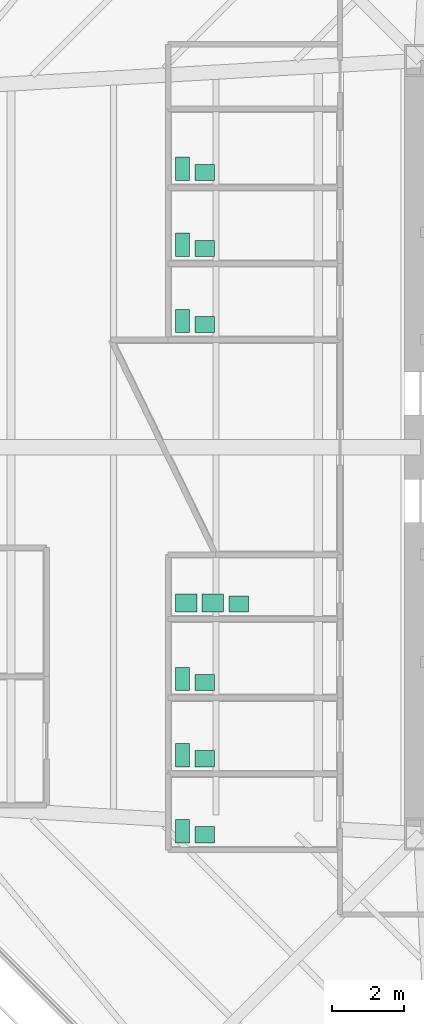
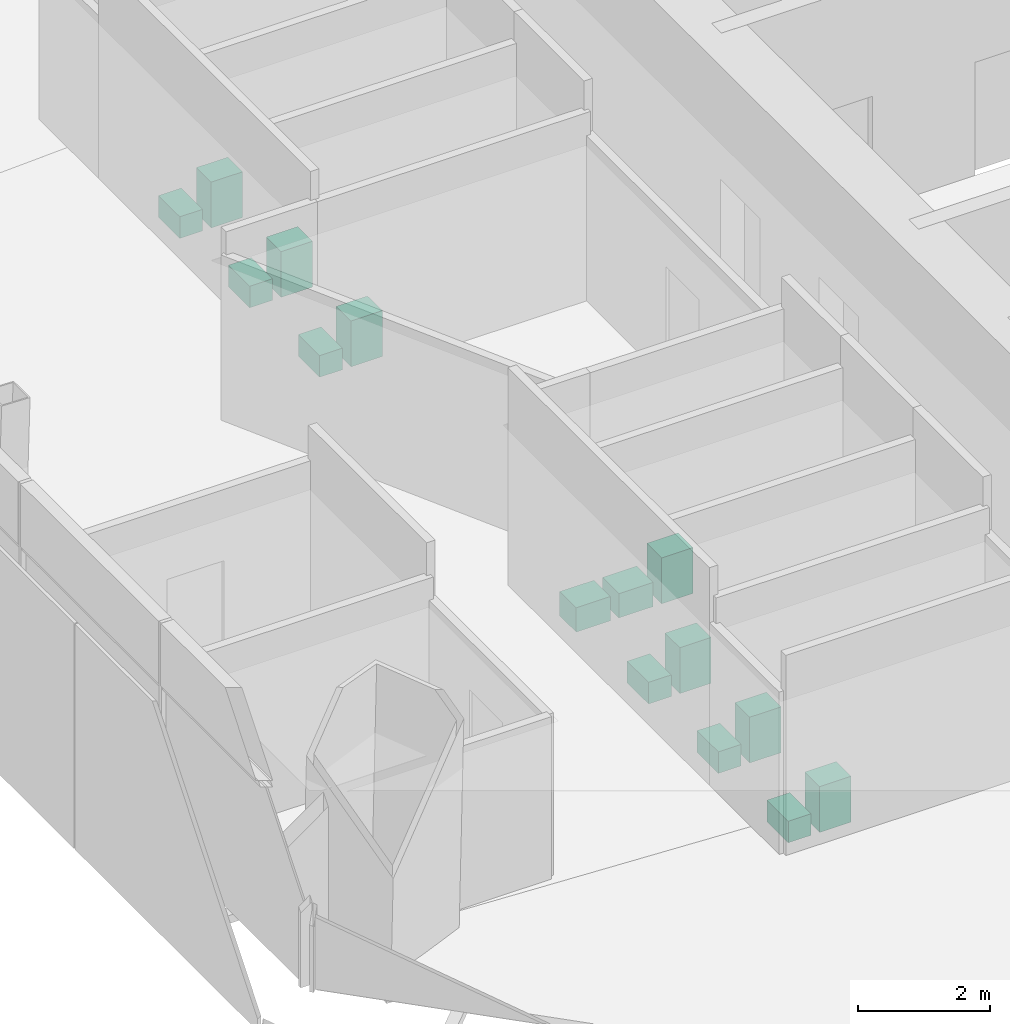
# One storey, part 15 of 15: 15 sanitary terminals.
"""IFC4 building model written with IfcOpenShell, lengths in metres."""

from ifc_helpers import new_model, si_unit, direction, frame, origin, origin_2d, place, context, subcontext, project, spatial, rectangle, extrude, material, type_object, element, save


model = new_model("IFC4")

# Units and contexts
model_context = context("Model", 3, precision=1e-05, world=origin(), true_north=direction((0.0, 1.0)))
body_context = subcontext(model_context, "Body", "Model", "MODEL_VIEW")
ifc_project = project(units=[si_unit("LENGTHUNIT", "METRE"), si_unit("AREAUNIT", "SQUARE_METRE"), si_unit("VOLUMEUNIT", "CUBIC_METRE"), si_unit("PLANEANGLEUNIT", "RADIAN"), si_unit("MASSUNIT", "GRAM", prefix="KILO")], contexts=[model_context])

# Site, building, storey
site_placement = place(None, origin())
site = spatial("IfcSite", under=ifc_project, at=site_placement, CompositionType="ELEMENT")
building_placement = place(site_placement, origin())
building = spatial("IfcBuilding", under=site, at=building_placement, Name="Mashrafa Tower", CompositionType="ELEMENT")
storey_placement = place(building_placement, frame((0.0, 0.0, 75.0)))
storey = spatial("IfcBuildingStorey", under=building, at=storey_placement, Name="L16", CompositionType="ELEMENT", Elevation=75.0)

# Sanitary terminals
ifc_material_1 = material(Name="Stainless steel", Category="steel")
sanitary_terminal_type_1 = type_object("IfcSanitaryTerminalType", Name="Ablution wash station 600 x 500", PredefinedType="WASHHANDBASIN", material=ifc_material_1)
for number, where, z_axis, x_axis, name in (
    (1, (-17.35009765625, -4.35009765625, 0.0), (0.0, 0.0, 1.0), (1.0, 0.0, 0.0), "Ablution wash station Ablution Room L16 S"),
    (2, (-16.60009765625, -4.35009765625, 0.0), (0.0, 0.0, 1.0), (1.0, 0.0, 0.0), "Ablution wash station Ablution Room L16 S"),
):
    element("IfcSanitaryTerminal", number, at=place(storey_placement, frame(where, z_axis=z_axis, x_axis=x_axis)), inside=storey, type_object=sanitary_terminal_type_1, Name=name, PredefinedType="WASHHANDBASIN", context=body_context, shape_type="SweptSolid", body=[
        extrude(rectangle(XDim=0.60009765625, YDim=0.5, at=origin_2d()), origin(), (0.0, 0.0, 1.0), 0.449951171875),
    ])
ifc_material_2 = material(Name="Vitreous china")
sanitary_terminal_type_2 = type_object("IfcSanitaryTerminalType", Name="Toilet pan 400 x 650", PredefinedType="TOILETPAN", material=ifc_material_2)
for number, where, z_axis, x_axis, name in (
    (3, (-17.449951171875, 3.52490234375, 0.0), (0.0, 0.0, 1.0), (1.0, 0.0, 0.0), "Toilet pan WC Female L16 N"),
    (4, (-17.449951171875, 5.64990234375, 0.0), (0.0, 0.0, 1.0), (1.0, 0.0, 0.0), "Toilet pan WC Male L16 N"),
    (5, (-17.449951171875, 7.77490234375, 0.0), (0.0, 0.0, 1.0), (1.0, 0.0, 0.0), "Toilet pan Accessible WC L16 N"),
    (6, (-17.449951171875, -10.72509765625, 0.0), (0.0, 0.0, 1.0), (1.0, 0.0, 0.0), "Toilet pan WC Female L16 S"),
    (7, (-17.449951171875, -8.60009765625, 0.0), (0.0, 0.0, 1.0), (1.0, 0.0, 0.0), "Toilet pan WC Male L16 S"),
    (8, (-17.449951171875, -6.47509765625, 0.0), (0.0, 0.0, 1.0), (1.0, 0.0, 0.0), "Toilet pan Accessible WC L16 S"),
):
    element("IfcSanitaryTerminal", number, at=place(storey_placement, frame(where, z_axis=z_axis, x_axis=x_axis)), inside=storey, type_object=sanitary_terminal_type_2, Name=name, PredefinedType="TOILETPAN", context=body_context, shape_type="SweptSolid", body=[
        extrude(rectangle(XDim=0.39990234375, YDim=0.64990234375, at=origin_2d()), origin(), (0.0, 0.0, 1.0), 0.39990234375),
    ])
ifc_material_3 = material(Name="Vitreous china")
sanitary_terminal_type_3 = type_object("IfcSanitaryTerminalType", Name="Wash basin 550 x 450", PredefinedType="WASHHANDBASIN", material=ifc_material_3)
for number, where, z_axis, x_axis, name in (
    (9, (-16.824951171875, 3.425048828125, 0.0), (0.0, 0.0, 1.0), (1.0, 0.0, 0.0), "Wash basin WC Female L16 N"),
    (10, (-16.824951171875, 5.550048828125, 0.0), (0.0, 0.0, 1.0), (1.0, 0.0, 0.0), "Wash basin WC Male L16 N"),
    (11, (-16.824951171875, 7.675048828125, 0.0), (0.0, 0.0, 1.0), (1.0, 0.0, 0.0), "Wash basin Accessible WC L16 N"),
    (12, (-16.824951171875, -10.824951171875, 0.0), (0.0, 0.0, 1.0), (1.0, 0.0, 0.0), "Wash basin WC Female L16 S"),
    (13, (-16.824951171875, -8.699951171875, 0.0), (0.0, 0.0, 1.0), (1.0, 0.0, 0.0), "Wash basin WC Male L16 S"),
    (14, (-16.824951171875, -6.574951171875, 0.0), (0.0, 0.0, 1.0), (1.0, 0.0, 0.0), "Wash basin Accessible WC L16 S"),
    (15, (-15.875, -4.375, 0.0), (0.0, 0.0, 1.0), (1.0, 0.0, 0.0), "Wash basin Ablution Room L16 S"),
):
    element("IfcSanitaryTerminal", number, at=place(storey_placement, frame(where, z_axis=z_axis, x_axis=x_axis)), inside=storey, type_object=sanitary_terminal_type_3, Name=name, PredefinedType="WASHHANDBASIN", context=body_context, shape_type="SweptSolid", body=[
        extrude(rectangle(XDim=0.550048828125, YDim=0.449951171875, at=origin_2d()), origin(), (0.0, 0.0, 1.0), 0.85009765625),
    ])

save(model, "model.ifc")
